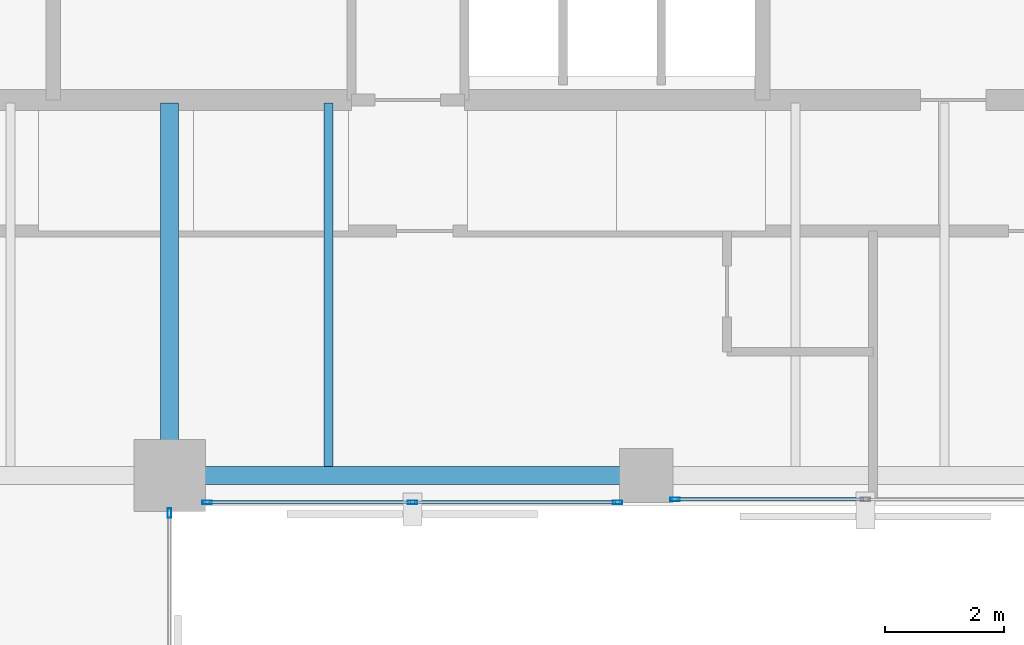
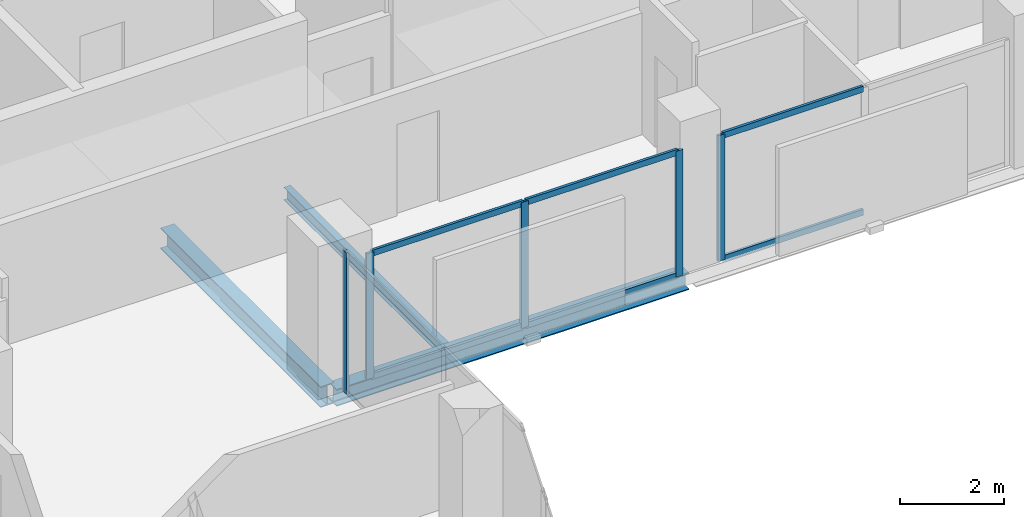
# One storey, part 13 of 33: 11 members, 3 beams, 3 elements without a shape of their own.
"""IFC4 building model written with IfcOpenShell, lengths in metres."""

from ifc_helpers import new_model, si_unit, direction, frame, origin, origin_2d, place, context, subcontext, project, spatial, hollow_rectangle, i_section, extrude, material, layer, layer_set, material_profile, profile_set, type_object, element, aggregate, save


model = new_model("IFC4")

# Units and contexts
model_context = context("Model", 3, precision=1e-05, world=origin(), true_north=direction((0.0, 1.0)))
body_context = subcontext(model_context, "Body", "Model", "MODEL_VIEW")
ifc_project = project(units=[si_unit("LENGTHUNIT", "METRE"), si_unit("AREAUNIT", "SQUARE_METRE"), si_unit("VOLUMEUNIT", "CUBIC_METRE"), si_unit("PLANEANGLEUNIT", "RADIAN"), si_unit("MASSUNIT", "GRAM", prefix="KILO")], contexts=[model_context])

# Site, building, storey
site_placement = place(None, origin())
site = spatial("IfcSite", under=ifc_project, at=site_placement, CompositionType="ELEMENT")
building_placement = place(site_placement, origin())
building = spatial("IfcBuilding", under=site, at=building_placement, Name="Catumbela Crestline Tower", CompositionType="ELEMENT")
storey_placement = place(building_placement, frame((0.0, 0.0, 100.8)))
storey = spatial("IfcBuildingStorey", under=building, at=storey_placement, Name="L25", CompositionType="ELEMENT", Elevation=100.8)

# Beams
ifc_material_1 = material(Name="Structural steel S355J2", Category="steel")
ifc_material_profile_1 = material_profile(ifc_material_1, i_section(OverallWidth=0.3, OverallDepth=0.49, WebThickness=0.012, FlangeThickness=0.023, FilletRadius=0.027, at=origin_2d()), Name="HEA 500")
ifc_profile_set_1 = profile_set([ifc_material_profile_1], Name="Structural steel S355J2")
beam_type_1 = type_object("IfcBeamType", Name="BG-HEA500", PredefinedType="BEAM", material=ifc_profile_set_1)
beam_1_placement = place(storey_placement, frame((24.0, 24.58, -0.505), z_axis=(0.0, 1.0, 0.0), x_axis=(-1.0, 0.0, 0.0)))
element("IfcBeam", 1, at=beam_1_placement, inside=storey, type_object=beam_type_1, Name="L25 Beam BM-L25-SNS29", PredefinedType="BEAM", context=body_context, shape_type="SweptSolid", body=[
    extrude(i_section(OverallWidth=0.3, OverallDepth=0.49, WebThickness=0.012, FlangeThickness=0.023, FilletRadius=0.027, at=origin_2d()), origin(), (0.0, 0.0, 1.0), 6.17),
])
ifc_material_profile_2 = material_profile(ifc_material_1, i_section(OverallWidth=0.15, OverallDepth=0.3, WebThickness=0.0071, FlangeThickness=0.0107, FilletRadius=0.015, at=origin_2d()), Name="IPE 300")
ifc_profile_set_2 = profile_set([ifc_material_profile_2], Name="Structural steel S355J2")
beam_type_2 = type_object("IfcBeamType", Name="BJ-IPE300", PredefinedType="JOIST", material=ifc_profile_set_2)
beam_2_placement = place(storey_placement, frame((26.667, 24.647, -0.41), z_axis=(0.0, 1.0, 0.0), x_axis=(-1.0, 0.0, 0.0)))
element("IfcBeam", 2, at=beam_2_placement, inside=storey, type_object=beam_type_2, Name="L25 Joist JS-L25-SP39", PredefinedType="JOIST", context=body_context, shape_type="SweptSolid", body=[
    extrude(i_section(OverallWidth=0.15, OverallDepth=0.3, WebThickness=0.0071, FlangeThickness=0.0107, FilletRadius=0.015, at=origin_2d()), origin(), (0.0, 0.0, 1.0), 6.103),
])

# Curtain wall, member
ifc_material_2 = material(Name="Aluminium alloy AW-6060-T66", Category="aluminium")
ifc_layer = layer(ifc_material_2, 0.18, Name="Aluminium alloy AW-6060-T66")
ifc_layer_set = layer_set([ifc_layer], Name="Aluminium alloy AW-6060-T66")
curtain_wall_type = type_object("IfcCurtainWallType", Name="CWU-Z2", PredefinedType="USERDEFINED", material=ifc_layer_set)
curtain_wall_1_placement = place(storey_placement, origin())
curtain_wall_1 = element("IfcCurtainWall", 3, at=curtain_wall_1_placement, inside=storey, type_object=curtain_wall_type, Name="L25 Unitised Curtain Wall CW-L25-E2S1", ObjectType="UNITISED", PredefinedType="USERDEFINED")
ifc_material_profile_3 = material_profile(ifc_material_2, hollow_rectangle(XDim=0.06, YDim=0.16, WallThickness=0.004, at=origin_2d()), Name="ALU 160x60x4")
ifc_profile_set_3 = profile_set([ifc_material_profile_3], Name="Aluminium alloy AW-6060-T66")
member_type_1 = type_object("IfcMemberType", Name="MUL-160X60", PredefinedType="MULLION", material=ifc_profile_set_3)
member_1_placement = place(storey_placement, frame((24.0, 23.8675, 0.0), z_axis=(0.0, 0.0, 1.0), x_axis=(-1.0, 0.0, 0.0)))
member_1 = element("IfcMember", 4, at=member_1_placement, type_object=member_type_1, Name="CWU-Z2 mullion 5", PredefinedType="MULLION", context=body_context, shape_type="SweptSolid", body=[
    extrude(hollow_rectangle(XDim=0.06, YDim=0.16, WallThickness=0.004, at=origin_2d()), origin(), (0.0, 0.0, 1.0), 3.33),
])
aggregate(curtain_wall_1, [member_1])

# Curtain wall, members
curtain_wall_2_placement = place(storey_placement, origin())
curtain_wall_2 = element("IfcCurtainWall", 5, at=curtain_wall_2_placement, inside=storey, type_object=curtain_wall_type, Name="L25 Unitised Curtain Wall CW-L25-E3S1", ObjectType="UNITISED", PredefinedType="USERDEFINED")
member_2_placement = place(storey_placement, frame((24.6325, 24.05, 0.0), z_axis=(0.0, 0.0, 1.0), x_axis=(0.0, 1.0, 0.0)))
member_2 = element("IfcMember", 6, at=member_2_placement, type_object=member_type_1, Name="CWU-Z2 mullion 1", PredefinedType="MULLION", context=body_context, shape_type="SweptSolid", body=[
    extrude(hollow_rectangle(XDim=0.06, YDim=0.16, WallThickness=0.004, at=origin_2d()), origin(), (0.0, 0.0, 1.0), 2.96),
])
member_3_placement = place(storey_placement, frame((28.075, 24.05, 0.0), z_axis=(0.0, 0.0, 1.0), x_axis=(0.0, 1.0, 0.0)))
member_3 = element("IfcMember", 7, at=member_3_placement, type_object=member_type_1, Name="CWU-Z2 mullion 2", PredefinedType="MULLION", context=body_context, shape_type="SweptSolid", body=[
    extrude(hollow_rectangle(XDim=0.06, YDim=0.16, WallThickness=0.004, at=origin_2d()), origin(), (0.0, 0.0, 1.0), 2.96),
])
member_4_placement = place(storey_placement, frame((31.5175, 24.05, 0.0), z_axis=(0.0, 0.0, 1.0), x_axis=(0.0, 1.0, 0.0)))
member_4 = element("IfcMember", 8, at=member_4_placement, type_object=member_type_1, Name="CWU-Z2 mullion 3", PredefinedType="MULLION", context=body_context, shape_type="SweptSolid", body=[
    extrude(hollow_rectangle(XDim=0.06, YDim=0.16, WallThickness=0.004, at=origin_2d()), origin(), (0.0, 0.0, 1.0), 2.96),
])

# Curtain wall, member
curtain_wall_3_placement = place(storey_placement, origin())
curtain_wall_3 = element("IfcCurtainWall", 9, at=curtain_wall_3_placement, inside=storey, type_object=curtain_wall_type, Name="L25 Unitised Curtain Wall CW-L25-E3S2", ObjectType="UNITISED", PredefinedType="USERDEFINED")
member_5_placement = place(storey_placement, frame((32.4825, 24.1, 0.0), z_axis=(0.0, 0.0, 1.0), x_axis=(0.0, 1.0, 0.0)))
member_5 = element("IfcMember", 10, at=member_5_placement, type_object=member_type_1, Name="CWU-Z2 mullion 1", PredefinedType="MULLION", context=body_context, shape_type="SweptSolid", body=[
    extrude(hollow_rectangle(XDim=0.06, YDim=0.16, WallThickness=0.004, at=origin_2d()), origin(), (0.0, 0.0, 1.0), 2.96),
])

# Beam
ifc_material_profile_4 = material_profile(ifc_material_1, i_section(OverallWidth=0.3, OverallDepth=0.4, WebThickness=0.0135, FlangeThickness=0.024, FilletRadius=0.027, at=origin_2d()), Name="HEB 400")
ifc_profile_set_4 = profile_set([ifc_material_profile_4], Name="Structural steel S355J2")
beam_type_3 = type_object("IfcBeamType", Name="BS-HEB400", PredefinedType="SPANDREL", material=ifc_profile_set_4)
beam_3_placement = place(storey_placement, frame((24.08, 24.5, -0.46), z_axis=(1.0, 0.0, 0.0), x_axis=(0.0, 1.0, 0.0)))
element("IfcBeam", 11, at=beam_3_placement, inside=storey, type_object=beam_type_3, Name="L25 Spandrel SP-L25-S05", PredefinedType="SPANDREL", context=body_context, shape_type="SweptSolid", body=[
    extrude(i_section(OverallWidth=0.3, OverallDepth=0.4, WebThickness=0.0135, FlangeThickness=0.024, FilletRadius=0.027, at=origin_2d()), origin(), (0.0, 0.0, 1.0), 7.84),
])

# Member
ifc_material_profile_5 = material_profile(ifc_material_2, hollow_rectangle(XDim=0.06, YDim=0.14, WallThickness=0.004, at=origin_2d()), Name="ALU 140x60x4")
ifc_profile_set_5 = profile_set([ifc_material_profile_5], Name="Aluminium alloy AW-6060-T66")
member_type_2 = type_object("IfcMemberType", Name="TRN-140X60", PredefinedType="USERDEFINED", material=ifc_profile_set_5)
member_6_placement = place(storey_placement, frame((24.665, 24.05, 0.03), z_axis=(1.0, 0.0, 0.0), x_axis=(0.0, 1.0, 0.0)))
member_6 = element("IfcMember", 12, at=member_6_placement, type_object=member_type_2, Name="CWU-Z2 transom 1.1", ObjectType="TRANSOM", PredefinedType="USERDEFINED", context=body_context, shape_type="SweptSolid", body=[
    extrude(hollow_rectangle(XDim=0.06, YDim=0.14, WallThickness=0.004, at=origin_2d()), origin(), (0.0, 0.0, 1.0), 3.3775),
])

member_7_placement = place(storey_placement, frame((24.665, 24.05, 2.93), z_axis=(1.0, 0.0, 0.0), x_axis=(0.0, 1.0, 0.0)))
member_7 = element("IfcMember", 13, at=member_7_placement, type_object=member_type_2, Name="CWU-Z2 transom 1.2", ObjectType="TRANSOM", PredefinedType="USERDEFINED", context=body_context, shape_type="SweptSolid", body=[
    extrude(hollow_rectangle(XDim=0.06, YDim=0.14, WallThickness=0.004, at=origin_2d()), origin(), (0.0, 0.0, 1.0), 3.3775),
])

member_8_placement = place(storey_placement, frame((28.1075, 24.05, 0.03), z_axis=(1.0, 0.0, 0.0), x_axis=(0.0, 1.0, 0.0)))
member_8 = element("IfcMember", 14, at=member_8_placement, type_object=member_type_2, Name="CWU-Z2 transom 2.1", ObjectType="TRANSOM", PredefinedType="USERDEFINED", context=body_context, shape_type="SweptSolid", body=[
    extrude(hollow_rectangle(XDim=0.06, YDim=0.14, WallThickness=0.004, at=origin_2d()), origin(), (0.0, 0.0, 1.0), 3.3775),
])

member_9_placement = place(storey_placement, frame((28.1075, 24.05, 2.93), z_axis=(1.0, 0.0, 0.0), x_axis=(0.0, 1.0, 0.0)))
member_9 = element("IfcMember", 15, at=member_9_placement, type_object=member_type_2, Name="CWU-Z2 transom 2.2", ObjectType="TRANSOM", PredefinedType="USERDEFINED", context=body_context, shape_type="SweptSolid", body=[
    extrude(hollow_rectangle(XDim=0.06, YDim=0.14, WallThickness=0.004, at=origin_2d()), origin(), (0.0, 0.0, 1.0), 3.3775),
])

aggregate(curtain_wall_2, [member_2, member_3, member_4, member_6, member_7, member_8, member_9])

member_10_placement = place(storey_placement, frame((32.515, 24.1, 0.03), z_axis=(1.0, 0.0, 0.0), x_axis=(0.0, 1.0, 0.0)))
member_10 = element("IfcMember", 16, at=member_10_placement, type_object=member_type_2, Name="CWU-Z2 transom 1.1", ObjectType="TRANSOM", PredefinedType="USERDEFINED", context=body_context, shape_type="SweptSolid", body=[
    extrude(hollow_rectangle(XDim=0.06, YDim=0.14, WallThickness=0.004, at=origin_2d()), origin(), (0.0, 0.0, 1.0), 3.1275),
])

member_11_placement = place(storey_placement, frame((32.515, 24.1, 2.93), z_axis=(1.0, 0.0, 0.0), x_axis=(0.0, 1.0, 0.0)))
member_11 = element("IfcMember", 17, at=member_11_placement, type_object=member_type_2, Name="CWU-Z2 transom 1.2", ObjectType="TRANSOM", PredefinedType="USERDEFINED", context=body_context, shape_type="SweptSolid", body=[
    extrude(hollow_rectangle(XDim=0.06, YDim=0.14, WallThickness=0.004, at=origin_2d()), origin(), (0.0, 0.0, 1.0), 3.1275),
])

aggregate(curtain_wall_3, [member_5, member_10, member_11])

save(model, "model.ifc")
